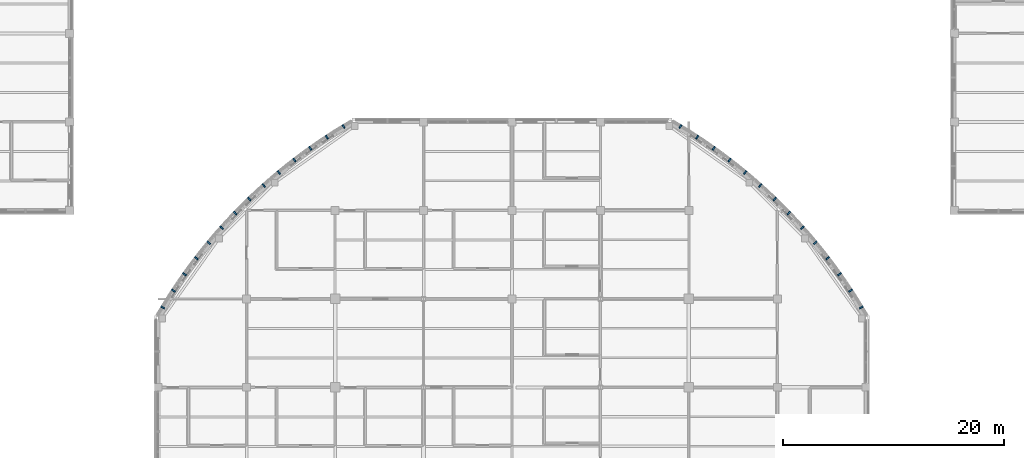
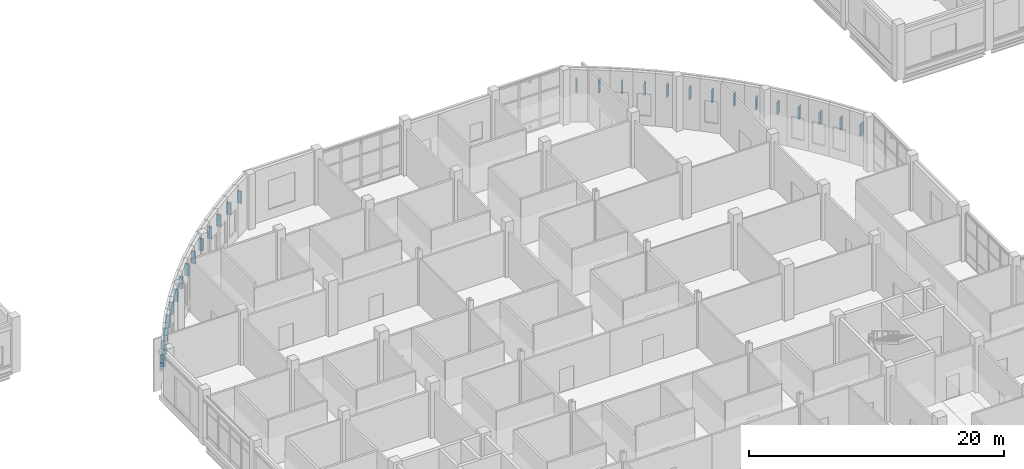
# One storey, part 85 of 105: 28 discrete accessories.
"""IFC4 building model written with IfcOpenShell, lengths in metres."""

import ifcopenshell
import ifcopenshell.guid

model = None  # the IFC model being written
_history = None  # IfcOwnerHistory: only IFC2X3 demands one
_inside = {}  # id of a spatial element -> (the spatial element, [elements in it])
_under = {}  # id of a project, library or spatial element -> (it, [spatial elements below it])
_declared = {}  # id of a project -> (the project, [libraries it declares])
_typed = {}  # id of a type object -> (the type object, [elements of that type])
_made_of = {}  # id of a material, layer set ... -> (it, [elements and type objects made of it])


def new_model(schema):
    """Start an empty IFC model of exactly this schema.

    Asked for "IFC4X3", IfcOpenShell would pick the latest addendum, in which some entities
    have other attributes; the version numbers below select the first issue.
    IFC2X3 requires an IfcOwnerHistory on every rooted entity: one is made here for all.
    """
    global model, _history
    if schema == "IFC4X3":
        model = ifcopenshell.file(schema_version=(4, 3, 0, 0))
    else:
        model = ifcopenshell.file(schema=schema)
    _inside.clear()
    _under.clear()
    _declared.clear()
    _typed.clear()
    _made_of.clear()
    _history = None
    if model.schema == "IFC2X3":
        org = make("IfcOrganization", Name="unknown")
        user = make(
            "IfcPersonAndOrganization",
            ThePerson=make("IfcPerson", FamilyName="unknown"),
            TheOrganization=org,
        )
        app = make(
            "IfcApplication",
            ApplicationDeveloper=org,
            Version="unknown",
            ApplicationFullName="unknown",
            ApplicationIdentifier="unknown",
        )
        _history = make(
            "IfcOwnerHistory",
            OwningUser=user,
            OwningApplication=app,
            ChangeAction="ADDED",
            CreationDate=0,
        )
    return model


def make(cls, **values):
    """One entity of the class cls with the attributes given. An attribute that is None is left unset."""
    return model.create_entity(
        cls, **{name: value for name, value in values.items() if value is not None}
    )


def rooted(cls, **values):
    """An entity with a GlobalId (a new one), such as an element, a storey or a relation."""
    return make(cls, GlobalId=ifcopenshell.guid.new(), OwnerHistory=_history, **values)


def si_unit(unit_type, name, prefix=None):
    """IfcSIUnit, for example si_unit("LENGTHUNIT", "METRE", prefix="MILLI")."""
    return make("IfcSIUnit", UnitType=unit_type, Prefix=prefix, Name=name)


def derived_unit(unit_type, elements):
    """IfcDerivedUnit: a product of units, each with its exponent."""
    return make(
        "IfcDerivedUnit",
        Elements=[
            make("IfcDerivedUnitElement", Unit=unit, Exponent=power)
            for unit, power in elements
        ],
        UnitType=unit_type,
    )


def assignment(units):
    """IfcUnitAssignment: the units of a project."""
    return None if units is None else make("IfcUnitAssignment", Units=units)


def point(xyz):
    """IfcCartesianPoint."""
    return None if xyz is None else make("IfcCartesianPoint", Coordinates=xyz)


def direction(xyz):
    """IfcDirection."""
    return None if xyz is None else make("IfcDirection", DirectionRatios=xyz)


def frame(location, z_axis=None, x_axis=None):
    """IfcAxis2Placement3D, a coordinate frame: its origin and axes. An axis left out is left unset."""
    return make(
        "IfcAxis2Placement3D",
        Location=point(location),
        Axis=direction(z_axis),
        RefDirection=direction(x_axis),
    )


def frame_2d(location, x_axis=None):
    """IfcAxis2Placement2D, a coordinate frame in the plane: its origin and x axis."""
    return make(
        "IfcAxis2Placement2D", Location=point(location), RefDirection=direction(x_axis)
    )


def origin():
    """The frame at (0, 0, 0) with its axes left unset."""
    return frame((0.0, 0.0, 0.0))


def origin_2d():
    """The frame at (0, 0) in the plane with its x axis left unset."""
    return frame_2d((0.0, 0.0))


def place(relative_to, where):
    """IfcLocalPlacement: puts the frame where relative to a parent placement (None: the world)."""
    return make(
        "IfcLocalPlacement", PlacementRelTo=relative_to, RelativePlacement=where
    )


def context(
    kind, dimensions, precision=None, world=None, true_north=None, identifier=None
):
    """IfcGeometricRepresentationContext, for example the 3D "Model" context."""
    return make(
        "IfcGeometricRepresentationContext",
        ContextIdentifier=identifier,
        ContextType=kind,
        CoordinateSpaceDimension=dimensions,
        Precision=precision,
        WorldCoordinateSystem=world,
        TrueNorth=true_north,
    )


def subcontext(parent, identifier, kind, view, scale=None):
    """IfcGeometricRepresentationSubContext, for example "Body" below "Model"."""
    return make(
        "IfcGeometricRepresentationSubContext",
        ContextIdentifier=identifier,
        ContextType=kind,
        ParentContext=parent,
        TargetScale=scale,
        TargetView=view,
    )


def project(units=None, contexts=None):
    """IfcProject with its units and contexts."""
    return rooted(
        "IfcProject",
        Name="project",
        RepresentationContexts=contexts,
        UnitsInContext=assignment(units),
    )


def spatial(cls, under=None, at=None, **own):
    """A site, building, storey or space (cls), placed at a placement, below another one or the project."""
    s = rooted(cls, ObjectPlacement=at, **own)
    if under is not None:
        _under.setdefault(under.id(), (under, []))[1].append(s)
    return s


def profile(cls, at=None, kind="AREA", **sizes):
    """A parametric profile (cls). Its sizes go by their IFC names, for example OverallWidth=200.0."""
    return make(cls, ProfileType=kind, Position=at, **sizes)


def rectangle(**sizes):
    """IfcRectangleProfileDef."""
    return profile("IfcRectangleProfileDef", **sizes)


def extrude(swept, where, along, depth):
    """IfcExtrudedAreaSolid: the profile swept, set in the frame where, extruded along a direction by depth."""
    return make(
        "IfcExtrudedAreaSolid",
        SweptArea=swept,
        Position=where,
        ExtrudedDirection=direction(along),
        Depth=depth,
    )


def shape(context_of_items, identifier, shape_type, items):
    """IfcShapeRepresentation: the items that make up one representation, for example the "Body"."""
    return make(
        "IfcShapeRepresentation",
        ContextOfItems=context_of_items,
        RepresentationIdentifier=identifier,
        RepresentationType=shape_type,
        Items=items,
    )


def material(Name=None, Category=None):
    """IfcMaterial."""
    return make("IfcMaterial", Name=Name, Category=Category)


def made_of(thing, what):
    """Note that an element or type object is made of a material, layer set ...; save() writes the relation."""
    if what is not None:
        _made_of.setdefault(what.id(), (what, []))[1].append(thing)
    return thing


def type_object(cls, material=None, **own):
    """A type object (cls), such as IfcWallType, which elements share."""
    return made_of(rooted(cls, **own), material)


def element(
    cls,
    number,
    at=None,
    inside=None,
    cuts=None,
    type_object=None,
    material=None,
    context=None,
    identifier="Body",
    shape_type=None,
    held_by="IfcProductDefinitionShape",
    body=None,
    shapes=None,
    **own,
):
    """One element of the class cls, such as IfcWall. Its Tag is "e" and its number.

    at: its placement. inside: the storey or other place that contains it. cuts: it is an
    opening in that element (IfcRelVoidsElement). A single representation is given by context,
    identifier, shape_type and body (its items); several are given by shapes. held_by: the class
    of the entity that holds the representations. save() writes the other relations.
    """
    e = rooted(cls, Tag="e%d" % number, ObjectPlacement=at, **own)
    if body is not None:
        shapes = [shape(context, identifier, shape_type, body)]
    if shapes is not None:
        e.Representation = make(held_by, Representations=shapes)
    if inside is not None:
        _inside.setdefault(inside.id(), (inside, []))[1].append(e)
    if cuts is not None:
        rooted(
            "IfcRelVoidsElement", RelatingBuildingElement=cuts, RelatedOpeningElement=e
        )
    if type_object is not None:
        _typed.setdefault(type_object.id(), (type_object, []))[1].append(e)
    return made_of(e, material)


def aggregate(whole, parts):
    """IfcRelAggregates: a whole, such as a stair, and the parts it consists of."""
    return rooted("IfcRelAggregates", RelatingObject=whole, RelatedObjects=parts)


def save(model, path):
    """Write the relations noted so far, then the file.

    IfcRelAggregates (storeys below a building ...), IfcRelContainedInSpatialStructure (elements
    in a storey), IfcRelDefinesByType, IfcRelAssociatesMaterial and IfcRelDeclares: one each for
    every whole, place, type object, material and project.
    """
    for whole, parts in _under.values():
        aggregate(whole, parts)
    for where, things in _inside.values():
        rooted(
            "IfcRelContainedInSpatialStructure",
            RelatedElements=things,
            RelatingStructure=where,
        )
    for kind, things in _typed.values():
        rooted("IfcRelDefinesByType", RelatedObjects=things, RelatingType=kind)
    for what, things in _made_of.values():
        rooted("IfcRelAssociatesMaterial", RelatedObjects=things, RelatingMaterial=what)
    for by, libraries in _declared.values():
        rooted("IfcRelDeclares", RelatingContext=by, RelatedDefinitions=libraries)
    model.write(path)


model = new_model("IFC4")

# Units and contexts
model_context = context("Model", 3, precision=1e-05, world=origin(), true_north=direction((0.0, 1.0)))
body_context = subcontext(model_context, "Body", "Model", "MODEL_VIEW")
ifc_project = project(units=[si_unit("LENGTHUNIT", "METRE"), si_unit("AREAUNIT", "SQUARE_METRE"), si_unit("VOLUMEUNIT", "CUBIC_METRE"), si_unit("PLANEANGLEUNIT", "RADIAN"), si_unit("MASSUNIT", "GRAM", prefix="KILO"), derived_unit("THERMALTRANSMITTANCEUNIT", [(si_unit("MASSUNIT", "GRAM", prefix="KILO"), 1), (si_unit("TIMEUNIT", "SECOND"), -3), (si_unit("THERMODYNAMICTEMPERATUREUNIT", "KELVIN"), -1)])], contexts=[model_context])

# Site, building, storey
site_placement = place(None, origin())
site = spatial("IfcSite", under=ifc_project, at=site_placement, CompositionType="ELEMENT")
building_placement = place(site_placement, origin())
building = spatial("IfcBuilding", under=site, at=building_placement, Name="Veyamyaing Civic Hall", CompositionType="ELEMENT")
storey_placement = place(building_placement, origin())
storey = spatial("IfcBuildingStorey", under=building, at=storey_placement, Name="L00", CompositionType="ELEMENT", Elevation=0.0)

# Discrete accessories
ifc_material = material(Name="Steel S355J2", Category="steel")
discrete_accessory_type = type_object("IfcDiscreteAccessoryType", Name="BK-01", PredefinedType="BRACKET", material=ifc_material)
for number, where, z_axis, x_axis, name in (
    (1, (119.57958984375, 79.225341796875, 2.72509765625), (0.0, 0.0, 1.0), (0.856524554554, 0.516106275341, 0.0), "Ribbon support bracket BK-01 L00 NE.1"),
    (2, (118.623779296875, 80.74658203125, 2.72509765625), (0.0, 0.0, 1.0), (0.836627765432, 0.547771833986, 0.0), "Ribbon support bracket BK-01 L00 NE.2"),
    (3, (117.611572265625, 82.231201171875, 2.72509765625), (0.0, 0.0, 1.0), (0.815560869203, 0.578671295836, 0.0), "Ribbon support bracket BK-01 L00 NE.3"),
    (4, (116.544921875, 83.6767578125, 2.72509765625), (0.0, 0.0, 1.0), (0.793353339122, 0.608761430532, 0.0), "Ribbon support bracket BK-01 L00 NE.4"),
    (5, (115.424560546875, 85.081298828125, 2.72509765625), (0.0, 0.0, 1.0), (0.770036237186, 0.638000151583, 0.0), "Ribbon support bracket BK-01 L00 NE.5"),
    (6, (114.252685546875, 86.443115234375, 2.72509765625), (0.0, 0.0, 1.0), (0.745642163228, 0.666346579804, 0.0), "Ribbon support bracket BK-01 L00 NE.6"),
    (7, (113.030517578125, 87.76025390625, 2.72509765625), (0.0, 0.0, 1.0), (0.720205244388, 0.693761058259, 0.0), "Ribbon support bracket BK-01 L00 NE.7"),
    (8, (111.76025390625, 89.030517578125, 2.72509765625), (0.0, 0.0, 1.0), (0.693761058259, 0.720205244388, 0.0), "Ribbon support bracket BK-01 L00 NE.8"),
    (9, (110.443115234375, 90.252685546875, 2.72509765625), (0.0, 0.0, 1.0), (0.666346579804, 0.745642163228, 0.0), "Ribbon support bracket BK-01 L00 NE.9"),
    (10, (109.081298828125, 91.424560546875, 2.72509765625), (0.0, 0.0, 1.0), (0.638000151583, 0.770036237186, 0.0), "Ribbon support bracket BK-01 L00 NE.10"),
    (11, (107.6767578125, 92.544921875, 2.72509765625), (0.0, 0.0, 1.0), (0.608761430532, 0.793353339122, 0.0), "Ribbon support bracket BK-01 L00 NE.11"),
    (12, (106.231201171875, 93.611572265625, 2.72509765625), (0.0, 0.0, 1.0), (0.578671295836, 0.815560869203, 0.0), "Ribbon support bracket BK-01 L00 NE.12"),
    (13, (104.74658203125, 94.623779296875, 2.72509765625), (0.0, 0.0, 1.0), (0.547771833986, 0.836627765432, 0.0), "Ribbon support bracket BK-01 L00 NE.13"),
    (14, (103.225341796875, 95.57958984375, 2.72509765625), (0.0, 0.0, 1.0), (0.516106275341, 0.856524554554, 0.0), "Ribbon support bracket BK-01 L00 NE.14"),
    (15, (72.774658203125, 95.57958984375, 2.72509765625), (0.0, 0.0, 1.0), (-0.516106275341, 0.856524554554, 0.0), "Ribbon support bracket BK-01 L00 NW.1"),
    (16, (71.25341796875, 94.623779296875, 2.72509765625), (0.0, 0.0, 1.0), (-0.547771833986, 0.836627765432, 0.0), "Ribbon support bracket BK-01 L00 NW.2"),
    (17, (69.768798828125, 93.611572265625, 2.72509765625), (0.0, 0.0, 1.0), (-0.578671295836, 0.815560869203, 0.0), "Ribbon support bracket BK-01 L00 NW.3"),
    (18, (68.3232421875, 92.544921875, 2.72509765625), (0.0, 0.0, 1.0), (-0.608761430532, 0.793353339122, 0.0), "Ribbon support bracket BK-01 L00 NW.4"),
    (19, (66.918701171875, 91.424560546875, 2.72509765625), (0.0, 0.0, 1.0), (-0.638000151583, 0.770036237186, 0.0), "Ribbon support bracket BK-01 L00 NW.5"),
    (20, (65.556884765625, 90.252685546875, 2.72509765625), (0.0, 0.0, 1.0), (-0.666346579804, 0.745642163228, 0.0), "Ribbon support bracket BK-01 L00 NW.6"),
    (21, (64.23974609375, 89.030517578125, 2.72509765625), (0.0, 0.0, 1.0), (-0.693761058259, 0.720205244388, 0.0), "Ribbon support bracket BK-01 L00 NW.7"),
    (22, (62.969482421875, 87.76025390625, 2.72509765625), (0.0, 0.0, 1.0), (-0.720205244388, 0.693761058259, 0.0), "Ribbon support bracket BK-01 L00 NW.8"),
    (23, (61.747314453125, 86.443115234375, 2.72509765625), (0.0, 0.0, 1.0), (-0.745642163228, 0.666346579804, 0.0), "Ribbon support bracket BK-01 L00 NW.9"),
    (24, (60.575439453125, 85.081298828125, 2.72509765625), (0.0, 0.0, 1.0), (-0.770036237186, 0.638000151583, 0.0), "Ribbon support bracket BK-01 L00 NW.10"),
    (25, (59.455078125, 83.6767578125, 2.72509765625), (0.0, 0.0, 1.0), (-0.793353339122, 0.608761430532, 0.0), "Ribbon support bracket BK-01 L00 NW.11"),
    (26, (58.388427734375, 82.231201171875, 2.72509765625), (0.0, 0.0, 1.0), (-0.815560869203, 0.578671295836, 0.0), "Ribbon support bracket BK-01 L00 NW.12"),
    (27, (57.376220703125, 80.74658203125, 2.72509765625), (0.0, 0.0, 1.0), (-0.836627765432, 0.547771833986, 0.0), "Ribbon support bracket BK-01 L00 NW.13"),
    (28, (56.42041015625, 79.225341796875, 2.72509765625), (0.0, 0.0, 1.0), (-0.856524554554, 0.516106275341, 0.0), "Ribbon support bracket BK-01 L00 NW.14"),
):
    element("IfcDiscreteAccessory", number, at=place(storey_placement, frame(where, z_axis=z_axis, x_axis=x_axis)), inside=storey, type_object=discrete_accessory_type, Name=name, PredefinedType="BRACKET", context=body_context, shape_type="SweptSolid", body=[
        extrude(rectangle(XDim=0.3798828125, YDim=0.139892578125, at=origin_2d()), origin(), (0.0, 0.0, 1.0), 1.14990234375),
    ])

save(model, "model.ifc")
